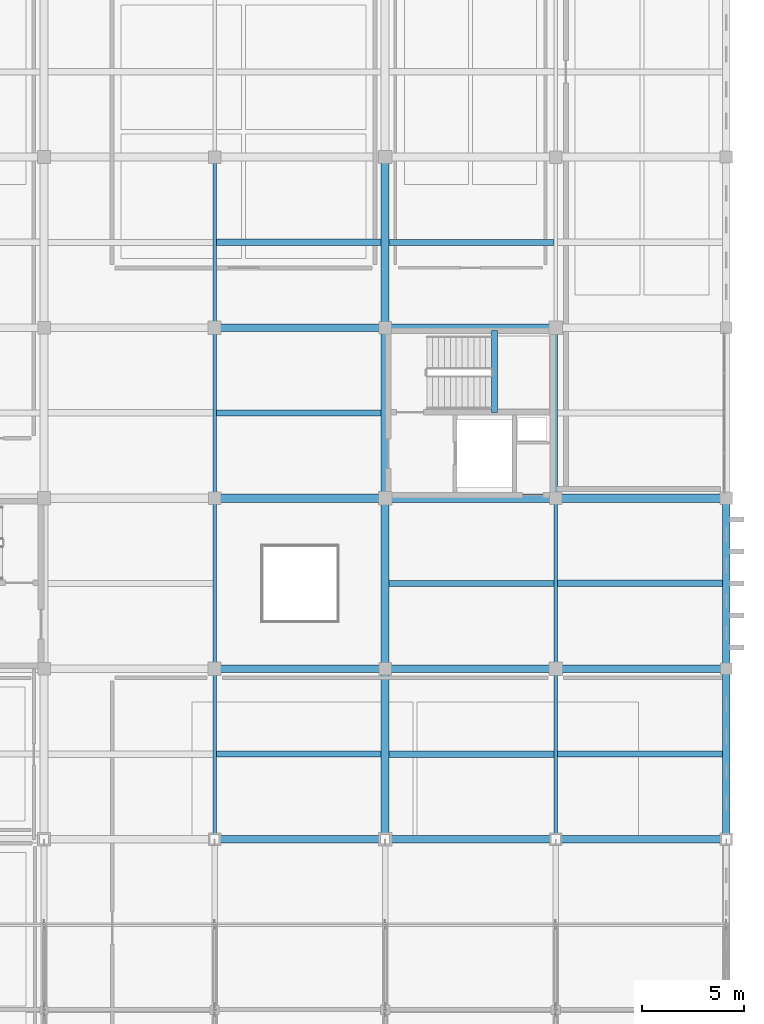
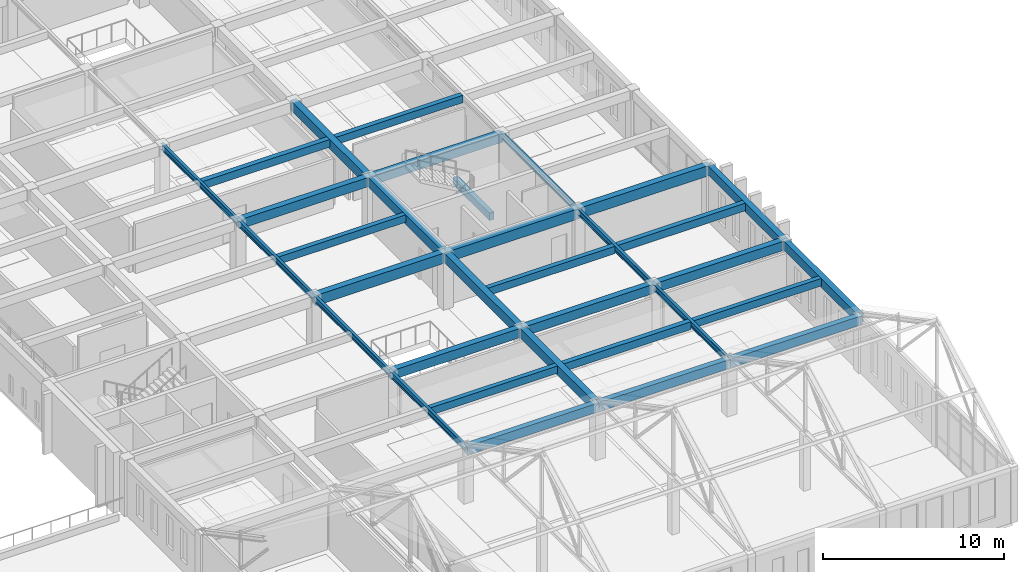
# One storey, part 12 of 47: 33 beams.
"""IFC4 building model written with IfcOpenShell, lengths in metres."""

from ifc_helpers import new_model, si_unit, direction, frame, origin, origin_2d, place, context, subcontext, project, spatial, rectangle, i_section, extrude, material, material_profile, profile_set, type_object, element, save


model = new_model("IFC4")

# Units and contexts
model_context = context("Model", 3, precision=1e-05, world=origin(), true_north=direction((0.0, 1.0)))
body_context = subcontext(model_context, "Body", "Model", "MODEL_VIEW")
ifc_project = project(units=[si_unit("LENGTHUNIT", "METRE"), si_unit("AREAUNIT", "SQUARE_METRE"), si_unit("VOLUMEUNIT", "CUBIC_METRE"), si_unit("PLANEANGLEUNIT", "RADIAN"), si_unit("MASSUNIT", "GRAM", prefix="KILO")], contexts=[model_context])

# Site, building, storey
site_placement = place(None, origin())
site = spatial("IfcSite", under=ifc_project, at=site_placement, CompositionType="ELEMENT")
building_placement = place(site_placement, origin())
building = spatial("IfcBuilding", under=site, at=building_placement, Name="Kveldsbrygga Polytechnic", CompositionType="ELEMENT")
storey_placement = place(building_placement, frame((0.0, 0.0, 13.93994140625)))
storey = spatial("IfcBuildingStorey", under=building, at=storey_placement, Name="L03", CompositionType="ELEMENT", Elevation=13.93994140625)

# Beams
ifc_material_1 = material(Name="Concrete C35/45", Category="concrete")
ifc_material_profile_1 = material_profile(ifc_material_1, rectangle(XDim=0.3798828125, YDim=0.6201171875, at=origin_2d()), Name="RC 380x620")
ifc_profile_set_1 = profile_set([ifc_material_profile_1], Name="Concrete C35/45")
beam_type_1 = type_object("IfcBeamType", Name="BM-RC-380x620", PredefinedType="BEAM", material=ifc_profile_set_1)
beam_1_placement = place(storey_placement, frame((142.800048828125, 25.199951171875, 3.43994140625), z_axis=(1.0, 0.0, 0.0), x_axis=(0.0, 1.0, 0.0)))
element("IfcBeam", 1, at=beam_1_placement, inside=storey, type_object=beam_type_1, Name="Primary Beam BMX-L03-17to18-03", PredefinedType="BEAM", context=body_context, shape_type="SweptSolid", body=[
    extrude(rectangle(XDim=0.3798828125, YDim=0.6201171875, at=origin_2d()), origin(), (0.0, 0.0, 1.0), 8.39990234375),
])
beam_2_placement = place(storey_placement, frame((151.199951171875, 25.199951171875, 3.43994140625), z_axis=(1.0, 0.0, 0.0), x_axis=(0.0, 1.0, 0.0)))
element("IfcBeam", 2, at=beam_2_placement, inside=storey, type_object=beam_type_1, Name="Primary Beam BMX-L03-18to19-03", PredefinedType="BEAM", context=body_context, shape_type="SweptSolid", body=[
    extrude(rectangle(XDim=0.3798828125, YDim=0.6201171875, at=origin_2d()), origin(), (0.0, 0.0, 1.0), 8.400146484375),
])
for number, where, z_axis, x_axis, name in (
    (3, (159.60009765625, 25.199951171875, 3.43994140625), (1.0, 0.0, 0.0), (0.0, 1.0, 0.0), "Primary Beam BMX-L03-19to20-03"),
    (4, (142.800048828125, 42.0, 3.43994140625), (1.0, 0.0, 0.0), (0.0, 1.0, 0.0), "Primary Beam BMX-L03-17to18-05"),
):
    element("IfcBeam", number, at=place(storey_placement, frame(where, z_axis=z_axis, x_axis=x_axis)), inside=storey, type_object=beam_type_1, Name=name, PredefinedType="BEAM", context=body_context, shape_type="SweptSolid", body=[
        extrude(rectangle(XDim=0.3798828125, YDim=0.6201171875, at=origin_2d()), origin(), (0.0, 0.0, 1.0), 8.39990234375),
    ])
beam_3_placement = place(storey_placement, frame((151.199951171875, 42.0, 3.43994140625), z_axis=(1.0, 0.0, 0.0), x_axis=(0.0, 1.0, 0.0)))
element("IfcBeam", 5, at=beam_3_placement, inside=storey, type_object=beam_type_1, Name="Primary Beam BMX-L03-18to19-05", PredefinedType="BEAM", context=body_context, shape_type="SweptSolid", body=[
    extrude(rectangle(XDim=0.3798828125, YDim=0.6201171875, at=origin_2d()), origin(), (0.0, 0.0, 1.0), 8.400146484375),
])
ifc_material_profile_2 = material_profile(ifc_material_1, rectangle(XDim=0.39990234375, YDim=0.64990234375, at=origin_2d()), Name="RC 400x650")
ifc_profile_set_2 = profile_set([ifc_material_profile_2], Name="Concrete C35/45")
beam_type_2 = type_object("IfcBeamType", Name="BM-RC-400x650", PredefinedType="BEAM", material=ifc_profile_set_2)
beam_4_placement = place(storey_placement, frame((151.199951171875, 16.800048828125, 3.425048828125), z_axis=(0.0, 1.0, 0.0), x_axis=(-1.0, 0.0, 0.0)))
element("IfcBeam", 6, at=beam_4_placement, inside=storey, type_object=beam_type_2, Name="Primary Beam BMY-L03-18-02to03", PredefinedType="BEAM", context=body_context, shape_type="SweptSolid", body=[
    extrude(rectangle(XDim=0.39990234375, YDim=0.64990234375, at=origin_2d()), origin(), (0.0, 0.0, 1.0), 8.39990234375),
])
beam_5_placement = place(storey_placement, frame((151.199951171875, 25.199951171875, 3.425048828125), z_axis=(0.0, 1.0, 0.0), x_axis=(-1.0, 0.0, 0.0)))
element("IfcBeam", 7, at=beam_5_placement, inside=storey, type_object=beam_type_2, Name="Primary Beam BMY-L03-18-03to04", PredefinedType="BEAM", context=body_context, shape_type="SweptSolid", body=[
    extrude(rectangle(XDim=0.39990234375, YDim=0.64990234375, at=origin_2d()), origin(), (0.0, 0.0, 1.0), 8.400146484375),
])
for number, where, z_axis, x_axis, name in (
    (8, (151.199951171875, 33.60009765625, 3.425048828125), (0.0, 1.0, 0.0), (-1.0, 0.0, 0.0), "Primary Beam BMY-L03-18-04to05"),
    (9, (151.199951171875, 42.0, 3.425048828125), (0.0, 1.0, 0.0), (-1.0, 0.0, 0.0), "Primary Beam BMY-L03-18-05to06"),
):
    element("IfcBeam", number, at=place(storey_placement, frame(where, z_axis=z_axis, x_axis=x_axis)), inside=storey, type_object=beam_type_2, Name=name, PredefinedType="BEAM", context=body_context, shape_type="SweptSolid", body=[
        extrude(rectangle(XDim=0.39990234375, YDim=0.64990234375, at=origin_2d()), origin(), (0.0, 0.0, 1.0), 8.39990234375),
    ])
ifc_material_profile_3 = material_profile(ifc_material_1, rectangle(XDim=0.39990234375, YDim=0.699951171875, at=origin_2d()), Name="RC 400x700")
ifc_profile_set_3 = profile_set([ifc_material_profile_3], Name="Concrete C35/45")
beam_type_3 = type_object("IfcBeamType", Name="BM-RC-400x700", PredefinedType="BEAM", material=ifc_profile_set_3)
beam_6_placement = place(storey_placement, frame((142.800048828125, 33.60009765625, 3.400146484375), z_axis=(1.0, 0.0, 0.0), x_axis=(0.0, 1.0, 0.0)))
element("IfcBeam", 10, at=beam_6_placement, inside=storey, type_object=beam_type_3, Name="Primary Beam BMX-L03-17to18-04", PredefinedType="BEAM", context=body_context, shape_type="SweptSolid", body=[
    extrude(rectangle(XDim=0.39990234375, YDim=0.699951171875, at=origin_2d()), origin(), (0.0, 0.0, 1.0), 8.39990234375),
])
beam_7_placement = place(storey_placement, frame((151.199951171875, 33.60009765625, 3.400146484375), z_axis=(1.0, 0.0, 0.0), x_axis=(0.0, 1.0, 0.0)))
element("IfcBeam", 11, at=beam_7_placement, inside=storey, type_object=beam_type_3, Name="Primary Beam BMX-L03-18to19-04", PredefinedType="BEAM", context=body_context, shape_type="SweptSolid", body=[
    extrude(rectangle(XDim=0.39990234375, YDim=0.699951171875, at=origin_2d()), origin(), (0.0, 0.0, 1.0), 8.400146484375),
])
beam_8_placement = place(storey_placement, frame((159.60009765625, 33.60009765625, 3.400146484375), z_axis=(1.0, 0.0, 0.0), x_axis=(0.0, 1.0, 0.0)))
element("IfcBeam", 12, at=beam_8_placement, inside=storey, type_object=beam_type_3, Name="Primary Beam BMX-L03-19to20-04", PredefinedType="BEAM", context=body_context, shape_type="SweptSolid", body=[
    extrude(rectangle(XDim=0.39990234375, YDim=0.699951171875, at=origin_2d()), origin(), (0.0, 0.0, 1.0), 8.39990234375),
])
ifc_material_profile_4 = material_profile(ifc_material_1, rectangle(XDim=0.35009765625, YDim=0.60009765625, at=origin_2d()), Name="RC 350x600")
ifc_profile_set_4 = profile_set([ifc_material_profile_4], Name="Concrete C35/45")
beam_type_4 = type_object("IfcBeamType", Name="BM-SPANDREL-600", PredefinedType="T_BEAM", material=ifc_profile_set_4)
beam_9_placement = place(storey_placement, frame((142.800048828125, 16.800048828125, 3.449951171875), z_axis=(1.0, 0.0, 0.0), x_axis=(0.0, 1.0, 0.0)))
element("IfcBeam", 13, at=beam_9_placement, inside=storey, type_object=beam_type_4, Name="Primary Beam BMX-L03-17to18-02", PredefinedType="T_BEAM", context=body_context, shape_type="SweptSolid", body=[
    extrude(rectangle(XDim=0.35009765625, YDim=0.60009765625, at=origin_2d()), origin(), (0.0, 0.0, 1.0), 8.39990234375),
])
beam_10_placement = place(storey_placement, frame((151.199951171875, 16.800048828125, 3.449951171875), z_axis=(1.0, 0.0, 0.0), x_axis=(0.0, 1.0, 0.0)))
element("IfcBeam", 14, at=beam_10_placement, inside=storey, type_object=beam_type_4, Name="Primary Beam BMX-L03-18to19-02", PredefinedType="T_BEAM", context=body_context, shape_type="SweptSolid", body=[
    extrude(rectangle(XDim=0.35009765625, YDim=0.60009765625, at=origin_2d()), origin(), (0.0, 0.0, 1.0), 8.400146484375),
])
for number, where, z_axis, x_axis, name in (
    (15, (159.60009765625, 16.800048828125, 3.449951171875), (1.0, 0.0, 0.0), (0.0, 1.0, 0.0), "Primary Beam BMX-L03-19to20-02"),
    (16, (168.0, 16.800048828125, 3.449951171875), (0.0, 1.0, 0.0), (-1.0, 0.0, 0.0), "Primary Beam BMY-L03-20-02to03"),
):
    element("IfcBeam", number, at=place(storey_placement, frame(where, z_axis=z_axis, x_axis=x_axis)), inside=storey, type_object=beam_type_4, Name=name, PredefinedType="T_BEAM", context=body_context, shape_type="SweptSolid", body=[
        extrude(rectangle(XDim=0.35009765625, YDim=0.60009765625, at=origin_2d()), origin(), (0.0, 0.0, 1.0), 8.39990234375),
    ])
beam_11_placement = place(storey_placement, frame((168.0, 25.199951171875, 3.449951171875), z_axis=(0.0, 1.0, 0.0), x_axis=(-1.0, 0.0, 0.0)))
element("IfcBeam", 17, at=beam_11_placement, inside=storey, type_object=beam_type_4, Name="Primary Beam BMY-L03-20-03to04", PredefinedType="T_BEAM", context=body_context, shape_type="SweptSolid", body=[
    extrude(rectangle(XDim=0.35009765625, YDim=0.60009765625, at=origin_2d()), origin(), (0.0, 0.0, 1.0), 8.400146484375),
])
ifc_material_2 = material(Name="Steel S355", Category="steel")
ifc_material_profile_5 = material_profile(ifc_material_2, i_section(OverallWidth=0.179931640625, OverallDepth=0.39990234375, WebThickness=0.008544921875, FlangeThickness=0.013427734375, FilletRadius=0.02099609375, at=origin_2d()), Name="IPE 400")
ifc_profile_set_5 = profile_set([ifc_material_profile_5], Name="Steel S355")
beam_type_5 = type_object("IfcBeamType", Name="BM-STL-IPE400", PredefinedType="BEAM", material=ifc_profile_set_5)
beam_12_placement = place(storey_placement, frame((142.800048828125, 16.800048828125, 3.550048828125), z_axis=(0.0, 1.0, 0.0), x_axis=(-1.0, 0.0, 0.0)))
element("IfcBeam", 18, at=beam_12_placement, inside=storey, type_object=beam_type_5, Name="Primary Beam BMY-L03-17-02to03", PredefinedType="BEAM", context=body_context, shape_type="SweptSolid", body=[
    extrude(i_section(OverallWidth=0.179931640625, OverallDepth=0.39990234375, WebThickness=0.008544921875, FlangeThickness=0.013427734375, FilletRadius=0.02099609375, at=origin_2d()), origin(), (0.0, 0.0, 1.0), 8.39990234375),
])
beam_13_placement = place(storey_placement, frame((142.800048828125, 25.199951171875, 3.550048828125), z_axis=(0.0, 1.0, 0.0), x_axis=(-1.0, 0.0, 0.0)))
element("IfcBeam", 19, at=beam_13_placement, inside=storey, type_object=beam_type_5, Name="Primary Beam BMY-L03-17-03to04", PredefinedType="BEAM", context=body_context, shape_type="SweptSolid", body=[
    extrude(i_section(OverallWidth=0.179931640625, OverallDepth=0.39990234375, WebThickness=0.008544921875, FlangeThickness=0.013427734375, FilletRadius=0.02099609375, at=origin_2d()), origin(), (0.0, 0.0, 1.0), 8.400146484375),
])
for number, where, z_axis, x_axis, name in (
    (20, (142.800048828125, 33.60009765625, 3.550048828125), (0.0, 1.0, 0.0), (-1.0, 0.0, 0.0), "Primary Beam BMY-L03-17-04to05"),
    (21, (142.800048828125, 42.0, 3.550048828125), (0.0, 1.0, 0.0), (-1.0, 0.0, 0.0), "Primary Beam BMY-L03-17-05to06"),
    (22, (159.60009765625, 16.800048828125, 3.550048828125), (0.0, 1.0, 0.0), (-1.0, 0.0, 0.0), "Primary Beam BMY-L03-19-02to03"),
):
    element("IfcBeam", number, at=place(storey_placement, frame(where, z_axis=z_axis, x_axis=x_axis)), inside=storey, type_object=beam_type_5, Name=name, PredefinedType="BEAM", context=body_context, shape_type="SweptSolid", body=[
        extrude(i_section(OverallWidth=0.179931640625, OverallDepth=0.39990234375, WebThickness=0.008544921875, FlangeThickness=0.013427734375, FilletRadius=0.02099609375, at=origin_2d()), origin(), (0.0, 0.0, 1.0), 8.39990234375),
    ])
beam_14_placement = place(storey_placement, frame((159.60009765625, 25.199951171875, 3.550048828125), z_axis=(0.0, 1.0, 0.0), x_axis=(-1.0, 0.0, 0.0)))
element("IfcBeam", 23, at=beam_14_placement, inside=storey, type_object=beam_type_5, Name="Primary Beam BMY-L03-19-03to04", PredefinedType="BEAM", context=body_context, shape_type="SweptSolid", body=[
    extrude(i_section(OverallWidth=0.179931640625, OverallDepth=0.39990234375, WebThickness=0.008544921875, FlangeThickness=0.013427734375, FilletRadius=0.02099609375, at=origin_2d()), origin(), (0.0, 0.0, 1.0), 8.400146484375),
])
beam_15_placement = place(storey_placement, frame((159.60009765625, 33.60009765625, 3.550048828125), z_axis=(0.0, 1.0, 0.0), x_axis=(-1.0, 0.0, 0.0)))
element("IfcBeam", 24, at=beam_15_placement, inside=storey, type_object=beam_type_5, Name="Primary Beam BMY-L03-19-04to05", PredefinedType="BEAM", context=body_context, shape_type="SweptSolid", body=[
    extrude(i_section(OverallWidth=0.179931640625, OverallDepth=0.39990234375, WebThickness=0.008544921875, FlangeThickness=0.013427734375, FilletRadius=0.02099609375, at=origin_2d()), origin(), (0.0, 0.0, 1.0), 8.39990234375),
])
ifc_material_profile_6 = material_profile(ifc_material_1, rectangle(XDim=0.300048828125, YDim=0.5, at=origin_2d()), Name="RC 300x500")
ifc_profile_set_6 = profile_set([ifc_material_profile_6], Name="Concrete C35/45")
beam_type_6 = type_object("IfcBeamType", Name="JST-RC-300x500", PredefinedType="JOIST", material=ifc_profile_set_6)
for number, where, z_axis, x_axis, name in (
    (25, (142.889892578125, 21.0, 3.5), (1.0, 0.0, 0.0), (0.0, 1.0, 0.0), "Secondary Joist JST-L03-17-02"),
    (26, (142.889892578125, 37.800048828125, 3.5), (1.0, 0.0, 0.0), (0.0, 1.0, 0.0), "Secondary Joist JST-L03-17-04"),
    (27, (151.39990234375, 29.39990234375, 3.5), (1.0, 0.0, 0.0), (0.0, 1.0, 0.0), "Secondary Joist JST-L03-18-03"),
    (28, (151.39990234375, 46.199951171875, 3.5), (1.0, 0.0, 0.0), (0.0, 1.0, 0.0), "Secondary Joist JST-L03-18-05"),
):
    element("IfcBeam", number, at=place(storey_placement, frame(where, z_axis=z_axis, x_axis=x_axis)), inside=storey, type_object=beam_type_6, Name=name, PredefinedType="JOIST", context=body_context, shape_type="SweptSolid", body=[
        extrude(rectangle(XDim=0.300048828125, YDim=0.5, at=origin_2d()), origin(), (0.0, 0.0, 1.0), 8.110107421875),
    ])
beam_16_placement = place(storey_placement, frame((159.68994140625, 21.0, 3.5), z_axis=(1.0, 0.0, 0.0), x_axis=(0.0, 1.0, 0.0)))
element("IfcBeam", 29, at=beam_16_placement, inside=storey, type_object=beam_type_6, Name="Secondary Joist JST-L03-19-02", PredefinedType="JOIST", context=body_context, shape_type="SweptSolid", body=[
    extrude(rectangle(XDim=0.300048828125, YDim=0.5, at=origin_2d()), origin(), (0.0, 0.0, 1.0), 8.135009765625),
])
ifc_material_profile_7 = material_profile(ifc_material_1, rectangle(XDim=0.320068359375, YDim=0.52001953125, at=origin_2d()), Name="RC 320x520")
ifc_profile_set_7 = profile_set([ifc_material_profile_7], Name="Concrete C35/45")
beam_type_7 = type_object("IfcBeamType", Name="JST-RC-320x520", PredefinedType="JOIST", material=ifc_profile_set_7)
for number, where, z_axis, x_axis, name in (
    (30, (142.889892578125, 46.199951171875, 3.489990234375), (1.0, 0.0, 0.0), (0.0, 1.0, 0.0), "Secondary Joist JST-L03-17-05"),
    (31, (151.39990234375, 21.0, 3.489990234375), (1.0, 0.0, 0.0), (0.0, 1.0, 0.0), "Secondary Joist JST-L03-18-02"),
):
    element("IfcBeam", number, at=place(storey_placement, frame(where, z_axis=z_axis, x_axis=x_axis)), inside=storey, type_object=beam_type_7, Name=name, PredefinedType="JOIST", context=body_context, shape_type="SweptSolid", body=[
        extrude(rectangle(XDim=0.320068359375, YDim=0.52001953125, at=origin_2d()), origin(), (0.0, 0.0, 1.0), 8.110107421875),
    ])
beam_17_placement = place(storey_placement, frame((159.68994140625, 29.39990234375, 3.489990234375), z_axis=(1.0, 0.0, 0.0), x_axis=(0.0, 1.0, 0.0)))
element("IfcBeam", 32, at=beam_17_placement, inside=storey, type_object=beam_type_7, Name="Secondary Joist JST-L03-19-03", PredefinedType="JOIST", context=body_context, shape_type="SweptSolid", body=[
    extrude(rectangle(XDim=0.320068359375, YDim=0.52001953125, at=origin_2d()), origin(), (0.0, 0.0, 1.0), 8.135009765625),
])
ifc_material_profile_8 = material_profile(ifc_material_1, rectangle(XDim=0.300048828125, YDim=0.5, at=origin_2d()), Name="RC 300x500")
ifc_profile_set_8 = profile_set([ifc_material_profile_8], Name="Concrete C35/45")
beam_type_8 = type_object("IfcBeamType", Name="LNT-RC-300x500", PredefinedType="LINTEL", material=ifc_profile_set_8)
beam_18_placement = place(storey_placement, frame((156.590087890625, 37.830078125, 1.590087890625), z_axis=(0.0, 1.0, 0.0), x_axis=(-1.0, 0.0, 0.0)))
element("IfcBeam", 33, at=beam_18_placement, inside=storey, type_object=beam_type_8, Name="Stair Landing Support Beam C3-L03-LNDB-1-1", PredefinedType="LINTEL", context=body_context, shape_type="SweptSolid", body=[
    extrude(rectangle(XDim=0.300048828125, YDim=0.5, at=origin_2d()), origin(), (0.0, 0.0, 1.0), 4.02001953125),
])

save(model, "model.ifc")
